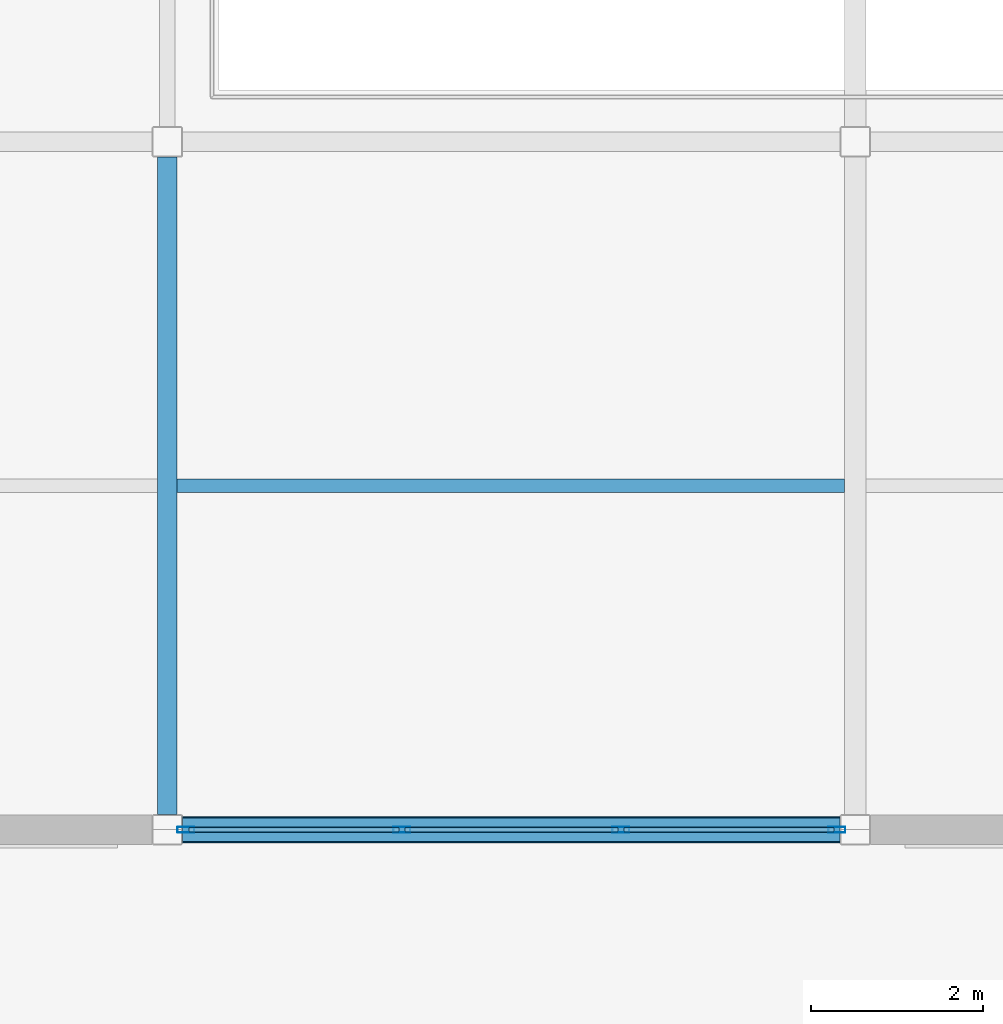
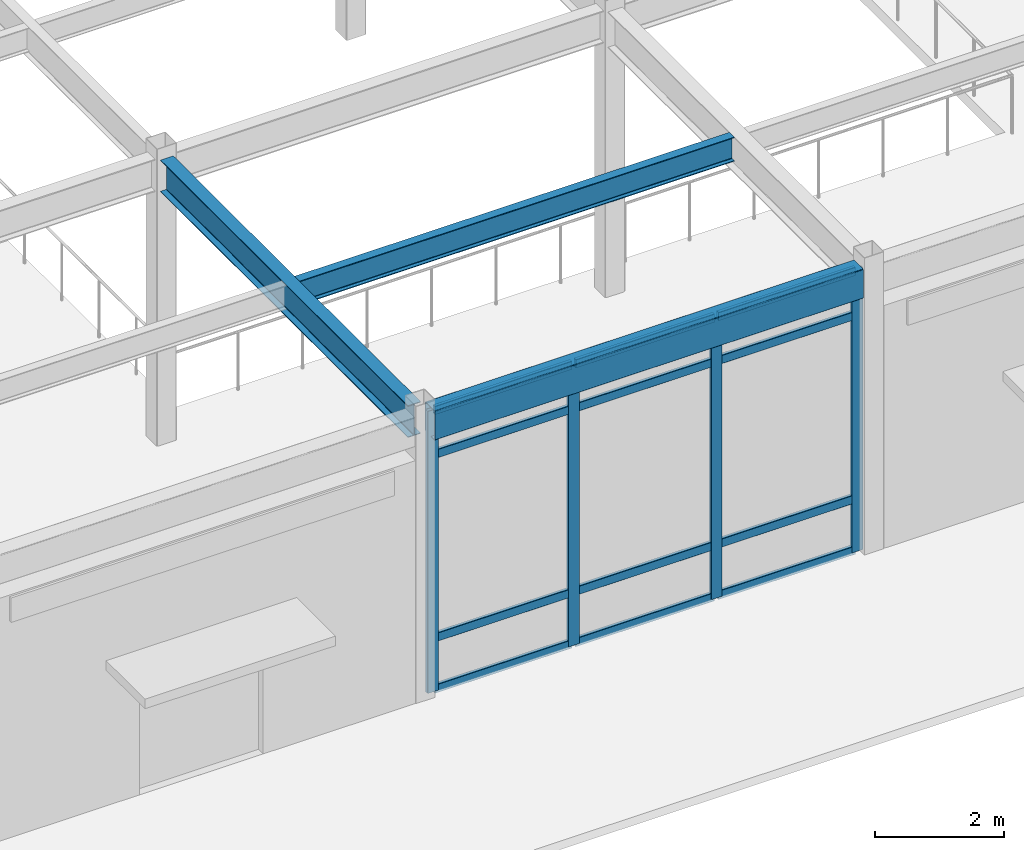
# One storey, part 77 of 128: 16 members, 3 beams, 1 element without a shape of its own.
"""IFC4 building model written with IfcOpenShell, lengths in metres."""

from ifc_helpers import new_model, si_unit, direction, frame, origin, origin_2d, place, context, subcontext, project, spatial, hollow_rectangle, i_section, extrude, material, material_profile, profile_set, type_object, element, aggregate, save


model = new_model("IFC4")

# Units and contexts
model_context = context("Model", 3, precision=1e-05, world=origin(), true_north=direction((0.0, 1.0)))
body_context = subcontext(model_context, "Body", "Model", "MODEL_VIEW")
ifc_project = project(units=[si_unit("LENGTHUNIT", "METRE"), si_unit("AREAUNIT", "SQUARE_METRE"), si_unit("VOLUMEUNIT", "CUBIC_METRE"), si_unit("PLANEANGLEUNIT", "RADIAN"), si_unit("MASSUNIT", "GRAM", prefix="KILO")], contexts=[model_context])

# Site, building, storey
site_placement = place(None, origin())
site = spatial("IfcSite", under=ifc_project, at=site_placement, CompositionType="ELEMENT")
building_placement = place(site_placement, origin())
building = spatial("IfcBuilding", under=site, at=building_placement, Name="Solmirada Galleria", CompositionType="ELEMENT")
storey_placement = place(building_placement, origin())
storey = spatial("IfcBuildingStorey", under=building, at=storey_placement, Name="L00", CompositionType="ELEMENT", Elevation=0.0)

# Beams
ifc_material_1 = material(Name="Steel S355 / ASTM A992 Grade 50", Category="steel")
ifc_material_profile_1 = material_profile(ifc_material_1, i_section(OverallWidth=0.22802734375, OverallDepth=0.60302734375, WebThickness=0.010498046875, FlangeThickness=0.014892578125, FilletRadius=0.014892578125, at=origin_2d()), Name="W24X68")
ifc_profile_set_1 = profile_set([ifc_material_profile_1], Name="Steel S355 / ASTM A992 Grade 50")
beam_type_1 = type_object("IfcBeamType", Name="BM-GIRD-W24C", PredefinedType="BEAM", material=ifc_profile_set_1)
beam_1_placement = place(storey_placement, frame((152.0, 0.177978515625, 5.07861328125), z_axis=(0.0, 1.0, 0.0), x_axis=(-1.0, 0.0, 0.0)))
element("IfcBeam", 1, at=beam_1_placement, inside=storey, type_object=beam_type_1, Name="Primary girder L01 Y(152, 0..8)", PredefinedType="BEAM", context=body_context, shape_type="SweptSolid", body=[
    extrude(i_section(OverallWidth=0.22802734375, OverallDepth=0.60302734375, WebThickness=0.010498046875, FlangeThickness=0.014892578125, FilletRadius=0.014892578125, at=origin_2d()), origin(), (0.0, 0.0, 1.0), 7.64404296875),
])
ifc_material_profile_2 = material_profile(ifc_material_1, i_section(OverallWidth=0.153076171875, OverallDepth=0.455078125, WebThickness=0.008056640625, FlangeThickness=0.01318359375, FilletRadius=0.011962890625, at=origin_2d()), Name="W18X40")
ifc_profile_set_2 = profile_set([ifc_material_profile_2], Name="Steel S355 / ASTM A992 Grade 50")
beam_type_2 = type_object("IfcBeamType", Name="BM-JST-W18A", PredefinedType="JOIST", material=ifc_profile_set_2)
beam_2_placement = place(storey_placement, frame((152.114013671875, 4.0, 5.152587890625), z_axis=(1.0, 0.0, 0.0), x_axis=(0.0, 1.0, 0.0)))
element("IfcBeam", 2, at=beam_2_placement, inside=storey, type_object=beam_type_2, Name="Composite floor joist L01 (152..160, 4.0)", PredefinedType="JOIST", context=body_context, shape_type="SweptSolid", body=[
    extrude(i_section(OverallWidth=0.153076171875, OverallDepth=0.455078125, WebThickness=0.008056640625, FlangeThickness=0.01318359375, FilletRadius=0.011962890625, at=origin_2d()), origin(), (0.0, 0.0, 1.0), 7.759033203125),
])
ifc_material_2 = material(Name="Steel S355 / ASTM A500 Grade C", Category="steel")
ifc_material_profile_3 = material_profile(ifc_material_2, hollow_rectangle(XDim=0.304931640625, YDim=0.55908203125, WallThickness=0.01171875, InnerFilletRadius=0.01171875, OuterFilletRadius=0.023681640625, at=origin_2d()), Name="HSS22X12X1/2")
ifc_profile_set_3 = profile_set([ifc_material_profile_3], Name="Steel S355 / ASTM A500 Grade C")
beam_type_3 = type_object("IfcBeamType", Name="BM-SPAND-W21", PredefinedType="SPANDREL", material=ifc_profile_set_3)
beam_3_placement = place(storey_placement, frame((152.177978515625, 0.0, 5.1005859375), z_axis=(1.0, 0.0, 0.0), x_axis=(0.0, 1.0, 0.0)))
element("IfcBeam", 3, at=beam_3_placement, inside=storey, type_object=beam_type_3, Name="Primary beam L01 X(152..160, 0)", PredefinedType="SPANDREL", context=body_context, shape_type="SweptSolid", body=[
    extrude(hollow_rectangle(XDim=0.304931640625, YDim=0.55908203125, WallThickness=0.01171875, InnerFilletRadius=0.01171875, OuterFilletRadius=0.023681640625, at=origin_2d()), origin(), (0.0, 0.0, 1.0), 7.64404296875),
])

# Curtain wall, members
ifc_material_3 = material(Name="Impact-resistant low-E double glazing", Category="glass")
curtain_wall_type = type_object("IfcCurtainWallType", Name="CW-FZ5-L00-B3-L076", PredefinedType="NOTDEFINED", material=ifc_material_3)
curtain_wall_placement = place(storey_placement, origin())
curtain_wall = element("IfcCurtainWall", 4, at=curtain_wall_placement, inside=storey, type_object=curtain_wall_type, Name="Terrace and arcade storefront CW-L00-025", PredefinedType="NOTDEFINED")
ifc_material_4 = material(Name="Anodised aluminium framing", Category="aluminium")
ifc_material_profile_4 = material_profile(ifc_material_4, hollow_rectangle(XDim=0.070068359375, YDim=0.199951171875, WallThickness=0.004150390625, InnerFilletRadius=0.004150390625, OuterFilletRadius=0.00830078125, at=origin_2d()), Name="ALU-MULL-200X70")
ifc_profile_set_4 = profile_set([ifc_material_profile_4], Name="Anodised aluminium framing")
member_type_1 = type_object("IfcMemberType", Name="CW-MULL-200", PredefinedType="MULLION", material=ifc_profile_set_4)
member_1_placement = place(storey_placement, frame((159.784912109375, 0.0, 0.0), z_axis=(0.0, 0.0, 1.0), x_axis=(0.0, -1.0, 0.0)))
member_1 = element("IfcMember", 5, at=member_1_placement, type_object=member_type_1, Name="CW09 mullion 1", PredefinedType="MULLION", context=body_context, shape_type="SweptSolid", body=[
    extrude(hollow_rectangle(XDim=0.070068359375, YDim=0.199951171875, WallThickness=0.004150390625, InnerFilletRadius=0.004150390625, OuterFilletRadius=0.00830078125, at=origin_2d()), origin(), (0.0, 0.0, 1.0), 5.320068359375),
])
member_2_placement = place(storey_placement, frame((157.2734375, 0.0, 0.0), z_axis=(0.0, 0.0, 1.0), x_axis=(0.0, -1.0, 0.0)))
member_2 = element("IfcMember", 6, at=member_2_placement, type_object=member_type_1, Name="CW09 mullion 2", PredefinedType="MULLION", context=body_context, shape_type="SweptSolid", body=[
    extrude(hollow_rectangle(XDim=0.070068359375, YDim=0.199951171875, WallThickness=0.004150390625, InnerFilletRadius=0.004150390625, OuterFilletRadius=0.00830078125, at=origin_2d()), origin(), (0.0, 0.0, 1.0), 5.320068359375),
])
member_3_placement = place(storey_placement, frame((154.7265625, 0.0, 0.0), z_axis=(0.0, 0.0, 1.0), x_axis=(0.0, -1.0, 0.0)))
member_3 = element("IfcMember", 7, at=member_3_placement, type_object=member_type_1, Name="CW09 mullion 3", PredefinedType="MULLION", context=body_context, shape_type="SweptSolid", body=[
    extrude(hollow_rectangle(XDim=0.070068359375, YDim=0.199951171875, WallThickness=0.004150390625, InnerFilletRadius=0.004150390625, OuterFilletRadius=0.00830078125, at=origin_2d()), origin(), (0.0, 0.0, 1.0), 5.320068359375),
])
member_4_placement = place(storey_placement, frame((152.215087890625, 0.0, 0.0), z_axis=(0.0, 0.0, 1.0), x_axis=(0.0, -1.0, 0.0)))
member_4 = element("IfcMember", 8, at=member_4_placement, type_object=member_type_1, Name="CW09 mullion 4", PredefinedType="MULLION", context=body_context, shape_type="SweptSolid", body=[
    extrude(hollow_rectangle(XDim=0.070068359375, YDim=0.199951171875, WallThickness=0.004150390625, InnerFilletRadius=0.004150390625, OuterFilletRadius=0.00830078125, at=origin_2d()), origin(), (0.0, 0.0, 1.0), 5.320068359375),
])
ifc_material_profile_5 = material_profile(ifc_material_4, hollow_rectangle(XDim=0.06494140625, YDim=0.159912109375, WallThickness=0.00390625, InnerFilletRadius=0.00390625, OuterFilletRadius=0.007568359375, at=origin_2d()), Name="ALU-TRAN-160X65")
ifc_profile_set_5 = profile_set([ifc_material_profile_5], Name="Anodised aluminium framing")
member_type_2 = type_object("IfcMemberType", Name="CW-TRAN-160", PredefinedType="USERDEFINED", material=ifc_profile_set_5)
member_5_placement = place(storey_placement, frame((159.75, 0.0, 0.032470703125), z_axis=(-1.0, 0.0, 0.0), x_axis=(0.0, -1.0, 0.0)))
member_5 = element("IfcMember", 9, at=member_5_placement, type_object=member_type_2, Name="CW09 transom 1.1", ObjectType="TRANSOM", PredefinedType="USERDEFINED", context=body_context, shape_type="SweptSolid", body=[
    extrude(hollow_rectangle(XDim=0.06494140625, YDim=0.159912109375, WallThickness=0.00390625, InnerFilletRadius=0.00390625, OuterFilletRadius=0.007568359375, at=origin_2d()), origin(), (0.0, 0.0, 1.0), 2.441650390625),
])
member_6_placement = place(storey_placement, frame((159.75, 0.0, 1.0), z_axis=(-1.0, 0.0, 0.0), x_axis=(0.0, -1.0, 0.0)))
member_6 = element("IfcMember", 10, at=member_6_placement, type_object=member_type_2, Name="CW09 transom 1.2", ObjectType="TRANSOM", PredefinedType="USERDEFINED", context=body_context, shape_type="SweptSolid", body=[
    extrude(hollow_rectangle(XDim=0.06494140625, YDim=0.159912109375, WallThickness=0.00390625, InnerFilletRadius=0.00390625, OuterFilletRadius=0.007568359375, at=origin_2d()), origin(), (0.0, 0.0, 1.0), 2.441650390625),
])
member_7_placement = place(storey_placement, frame((159.75, 0.0, 4.4599609375), z_axis=(-1.0, 0.0, 0.0), x_axis=(0.0, -1.0, 0.0)))
member_7 = element("IfcMember", 11, at=member_7_placement, type_object=member_type_2, Name="CW09 transom 1.3", ObjectType="TRANSOM", PredefinedType="USERDEFINED", context=body_context, shape_type="SweptSolid", body=[
    extrude(hollow_rectangle(XDim=0.06494140625, YDim=0.159912109375, WallThickness=0.00390625, InnerFilletRadius=0.00390625, OuterFilletRadius=0.007568359375, at=origin_2d()), origin(), (0.0, 0.0, 1.0), 2.441650390625),
])
member_8_placement = place(storey_placement, frame((159.75, 0.0, 5.28759765625), z_axis=(-1.0, 0.0, 0.0), x_axis=(0.0, -1.0, 0.0)))
member_8 = element("IfcMember", 12, at=member_8_placement, type_object=member_type_2, Name="CW09 transom 1.4", ObjectType="TRANSOM", PredefinedType="USERDEFINED", context=body_context, shape_type="SweptSolid", body=[
    extrude(hollow_rectangle(XDim=0.06494140625, YDim=0.159912109375, WallThickness=0.00390625, InnerFilletRadius=0.00390625, OuterFilletRadius=0.007568359375, at=origin_2d()), origin(), (0.0, 0.0, 1.0), 2.441650390625),
])
member_9_placement = place(storey_placement, frame((157.23828125, 0.0, 0.032470703125), z_axis=(-1.0, 0.0, 0.0), x_axis=(0.0, -1.0, 0.0)))
member_9 = element("IfcMember", 13, at=member_9_placement, type_object=member_type_2, Name="CW09 transom 2.1", ObjectType="TRANSOM", PredefinedType="USERDEFINED", context=body_context, shape_type="SweptSolid", body=[
    extrude(hollow_rectangle(XDim=0.06494140625, YDim=0.159912109375, WallThickness=0.00390625, InnerFilletRadius=0.00390625, OuterFilletRadius=0.007568359375, at=origin_2d()), origin(), (0.0, 0.0, 1.0), 2.4765625),
])
member_10_placement = place(storey_placement, frame((157.23828125, 0.0, 1.0), z_axis=(-1.0, 0.0, 0.0), x_axis=(0.0, -1.0, 0.0)))
member_10 = element("IfcMember", 14, at=member_10_placement, type_object=member_type_2, Name="CW09 transom 2.2", ObjectType="TRANSOM", PredefinedType="USERDEFINED", context=body_context, shape_type="SweptSolid", body=[
    extrude(hollow_rectangle(XDim=0.06494140625, YDim=0.159912109375, WallThickness=0.00390625, InnerFilletRadius=0.00390625, OuterFilletRadius=0.007568359375, at=origin_2d()), origin(), (0.0, 0.0, 1.0), 2.4765625),
])
member_11_placement = place(storey_placement, frame((157.23828125, 0.0, 4.4599609375), z_axis=(-1.0, 0.0, 0.0), x_axis=(0.0, -1.0, 0.0)))
member_11 = element("IfcMember", 15, at=member_11_placement, type_object=member_type_2, Name="CW09 transom 2.3", ObjectType="TRANSOM", PredefinedType="USERDEFINED", context=body_context, shape_type="SweptSolid", body=[
    extrude(hollow_rectangle(XDim=0.06494140625, YDim=0.159912109375, WallThickness=0.00390625, InnerFilletRadius=0.00390625, OuterFilletRadius=0.007568359375, at=origin_2d()), origin(), (0.0, 0.0, 1.0), 2.4765625),
])
member_12_placement = place(storey_placement, frame((157.23828125, 0.0, 5.28759765625), z_axis=(-1.0, 0.0, 0.0), x_axis=(0.0, -1.0, 0.0)))
member_12 = element("IfcMember", 16, at=member_12_placement, type_object=member_type_2, Name="CW09 transom 2.4", ObjectType="TRANSOM", PredefinedType="USERDEFINED", context=body_context, shape_type="SweptSolid", body=[
    extrude(hollow_rectangle(XDim=0.06494140625, YDim=0.159912109375, WallThickness=0.00390625, InnerFilletRadius=0.00390625, OuterFilletRadius=0.007568359375, at=origin_2d()), origin(), (0.0, 0.0, 1.0), 2.4765625),
])
member_13_placement = place(storey_placement, frame((154.691650390625, 0.0, 0.032470703125), z_axis=(-1.0, 0.0, 0.0), x_axis=(0.0, -1.0, 0.0)))
member_13 = element("IfcMember", 17, at=member_13_placement, type_object=member_type_2, Name="CW09 transom 3.1", ObjectType="TRANSOM", PredefinedType="USERDEFINED", context=body_context, shape_type="SweptSolid", body=[
    extrude(hollow_rectangle(XDim=0.06494140625, YDim=0.159912109375, WallThickness=0.00390625, InnerFilletRadius=0.00390625, OuterFilletRadius=0.007568359375, at=origin_2d()), origin(), (0.0, 0.0, 1.0), 2.441650390625),
])
member_14_placement = place(storey_placement, frame((154.691650390625, 0.0, 1.0), z_axis=(-1.0, 0.0, 0.0), x_axis=(0.0, -1.0, 0.0)))
member_14 = element("IfcMember", 18, at=member_14_placement, type_object=member_type_2, Name="CW09 transom 3.2", ObjectType="TRANSOM", PredefinedType="USERDEFINED", context=body_context, shape_type="SweptSolid", body=[
    extrude(hollow_rectangle(XDim=0.06494140625, YDim=0.159912109375, WallThickness=0.00390625, InnerFilletRadius=0.00390625, OuterFilletRadius=0.007568359375, at=origin_2d()), origin(), (0.0, 0.0, 1.0), 2.441650390625),
])
member_15_placement = place(storey_placement, frame((154.691650390625, 0.0, 4.4599609375), z_axis=(-1.0, 0.0, 0.0), x_axis=(0.0, -1.0, 0.0)))
member_15 = element("IfcMember", 19, at=member_15_placement, type_object=member_type_2, Name="CW09 transom 3.3", ObjectType="TRANSOM", PredefinedType="USERDEFINED", context=body_context, shape_type="SweptSolid", body=[
    extrude(hollow_rectangle(XDim=0.06494140625, YDim=0.159912109375, WallThickness=0.00390625, InnerFilletRadius=0.00390625, OuterFilletRadius=0.007568359375, at=origin_2d()), origin(), (0.0, 0.0, 1.0), 2.441650390625),
])
member_16_placement = place(storey_placement, frame((154.691650390625, 0.0, 5.28759765625), z_axis=(-1.0, 0.0, 0.0), x_axis=(0.0, -1.0, 0.0)))
member_16 = element("IfcMember", 20, at=member_16_placement, type_object=member_type_2, Name="CW09 transom 3.4", ObjectType="TRANSOM", PredefinedType="USERDEFINED", context=body_context, shape_type="SweptSolid", body=[
    extrude(hollow_rectangle(XDim=0.06494140625, YDim=0.159912109375, WallThickness=0.00390625, InnerFilletRadius=0.00390625, OuterFilletRadius=0.007568359375, at=origin_2d()), origin(), (0.0, 0.0, 1.0), 2.441650390625),
])
aggregate(curtain_wall, [member_1, member_2, member_3, member_4, member_5, member_6, member_7, member_8, member_9, member_10, member_11, member_12, member_13, member_14, member_15, member_16])

save(model, "model.ifc")
